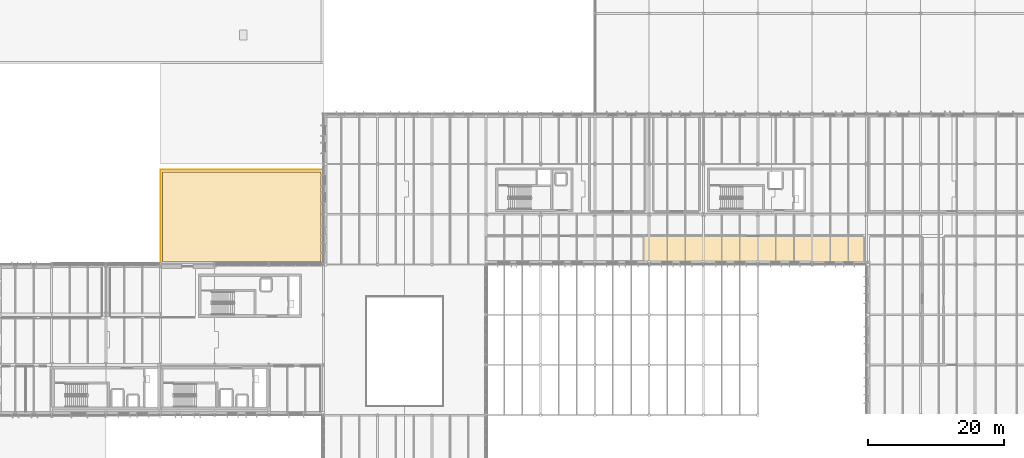
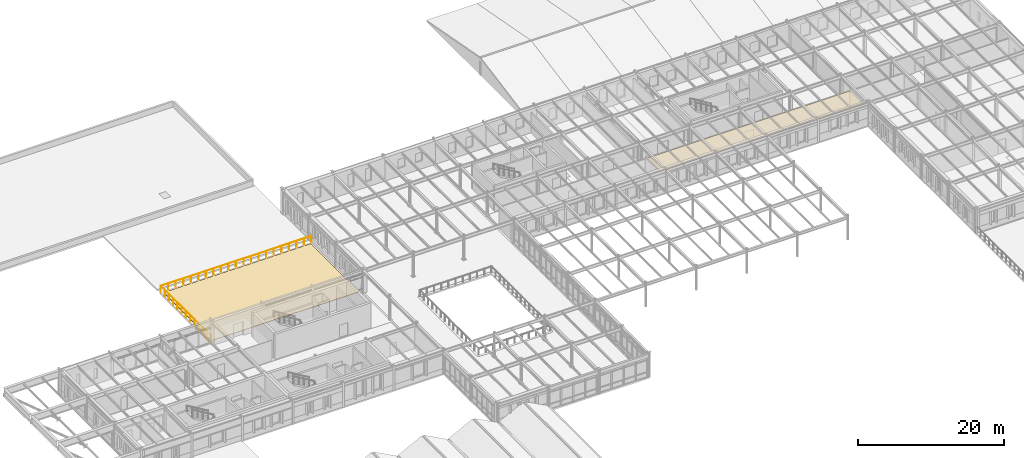
# One storey, part 56 of 63: 2 coverings, 2 railings.
"""IFC4 building model written with IfcOpenShell, lengths in metres."""

from ifc_helpers import new_model, si_unit, direction, frame, origin, origin_2d, place, context, subcontext, project, spatial, polyline, circle, outline, extrude, material, layer, layer_set, type_object, element, save


model = new_model("IFC4")

# Units and contexts
model_context = context("Model", 3, precision=1e-05, world=origin(), true_north=direction((0.0, 1.0)))
body_context = subcontext(model_context, "Body", "Model", "MODEL_VIEW")
ifc_project = project(units=[si_unit("LENGTHUNIT", "METRE"), si_unit("AREAUNIT", "SQUARE_METRE"), si_unit("VOLUMEUNIT", "CUBIC_METRE"), si_unit("PLANEANGLEUNIT", "RADIAN"), si_unit("MASSUNIT", "GRAM", prefix="KILO")], contexts=[model_context])

# Site, building, storey
site_placement = place(None, origin())
site = spatial("IfcSite", under=ifc_project, at=site_placement, CompositionType="ELEMENT")
building_placement = place(site_placement, origin())
building = spatial("IfcBuilding", under=site, at=building_placement, Name="Valkorina Park Police Headquarters", CompositionType="ELEMENT")
storey_placement = place(building_placement, frame((0.0, 0.0, 9.89990234375)))
storey = spatial("IfcBuildingStorey", under=building, at=storey_placement, Name="L03", CompositionType="ELEMENT", Elevation=9.89990234375)

# Coverings
ifc_material_1 = material(Name="Acoustic mineral board")
ifc_layer_1 = layer(ifc_material_1, 0.02490234375)
ifc_layer_set_1 = layer_set([ifc_layer_1], Name="Acoustic mineral board")
covering_type_1 = type_object("IfcCoveringType", Name="COV-CEILING-ACOUST", PredefinedType="CEILING", material=ifc_layer_set_1)
covering_1_placement = place(storey_placement, frame((0.0, 0.0, 3.440185546875)))
element("IfcCovering", 1, at=covering_1_placement, inside=storey, type_object=covering_type_1, Name="Primary 112 Server Hall A Acoustic Suspended Ceiling", PredefinedType="CEILING", context=body_context, shape_type="SweptSolid", body=[
    extrude(outline(polyline([(136.3583984375, 59.704345703125), (136.359619140625, 59.712158203125), (136.360107421875, 59.719970703125), (136.360107421875, 63.280029296875), (136.359619140625, 63.287841796875), (136.3583984375, 63.295654296875), (136.356689453125, 63.30322265625), (136.35400390625, 63.310546875), (136.3505859375, 63.317626953125), (136.346435546875, 63.324462890625), (136.341796875, 63.330810546875), (136.336669921875, 63.336669921875), (136.330810546875, 63.341796875), (136.324462890625, 63.346435546875), (136.317626953125, 63.3505859375), (136.310546875, 63.35400390625), (136.30322265625, 63.356689453125), (136.295654296875, 63.3583984375), (136.287841796875, 63.359619140625), (136.280029296875, 63.360107421875), (104.1201171875, 63.360107421875), (104.1123046875, 63.359619140625), (104.1044921875, 63.3583984375), (104.0966796875, 63.356689453125), (104.08935546875, 63.35400390625), (104.082275390625, 63.3505859375), (104.07568359375, 63.346435546875), (104.069091796875, 63.341796875), (104.0634765625, 63.336669921875), (104.05810546875, 63.330810546875), (104.053466796875, 63.324462890625), (104.04931640625, 63.317626953125), (104.046142578125, 63.310546875), (104.04345703125, 63.30322265625), (104.04150390625, 63.295654296875), (104.040283203125, 63.287841796875), (104.0400390625, 63.280029296875), (104.0400390625, 59.719970703125), (104.040283203125, 59.712158203125), (104.04150390625, 59.704345703125), (104.04345703125, 59.69677734375), (104.046142578125, 59.689453125), (104.04931640625, 59.682373046875), (104.053466796875, 59.675537109375), (104.05810546875, 59.669189453125), (104.0634765625, 59.663330078125), (104.069091796875, 59.658203125), (104.07568359375, 59.653564453125), (104.082275390625, 59.6494140625), (104.08935546875, 59.64599609375), (104.0966796875, 59.643310546875), (104.1044921875, 59.6416015625), (104.1123046875, 59.640380859375), (104.1201171875, 59.639892578125), (136.280029296875, 59.639892578125), (136.287841796875, 59.640380859375), (136.295654296875, 59.6416015625), (136.30322265625, 59.643310546875), (136.310546875, 59.64599609375), (136.317626953125, 59.6494140625), (136.324462890625, 59.653564453125), (136.330810546875, 59.658203125), (136.336669921875, 59.663330078125), (136.341796875, 59.669189453125), (136.346435546875, 59.675537109375), (136.3505859375, 59.682373046875), (136.35400390625, 59.689453125), (136.356689453125, 59.69677734375), (136.3583984375, 59.704345703125)])), origin(), (0.0, 0.0, 1.0), 0.02490234375),
])
ifc_material_2 = material(Name="Planted green roof substrate")
ifc_layer_2 = layer(ifc_material_2, 0.080078125)
ifc_layer_set_2 = layer_set([ifc_layer_2], Name="Planted green roof substrate")
covering_type_2 = type_object("IfcCoveringType", Name="COV-ROOF-GREEN", PredefinedType="ROOFING", material=ifc_layer_set_2)
covering_2_placement = place(storey_placement, origin())
element("IfcCovering", 2, at=covering_2_placement, inside=storey, type_object=covering_type_2, Name="L03 Staff Planted Podium Terrace Planted Substrate", PredefinedType="ROOFING", context=body_context, shape_type="SweptSolid", body=[
    extrude(outline(polyline([(33.14990234375, 59.592041015625), (56.449951171875, 59.592041015625), (56.449951171875, 72.85009765625), (33.14990234375, 72.85009765625), (33.14990234375, 59.592041015625)])), origin(), (0.0, 0.0, 1.0), 0.080078125),
])

# Railings
ifc_material_3 = material(Name="Stainless steel EN 1.4404", Category="steel")
railing_type = type_object("IfcRailingType", Name="RL-GUARD-EXT-1100", PredefinedType="BALUSTRADE", material=ifc_material_3)
railing_1_placement = place(storey_placement, frame((56.739990234375, 73.139892578125, 0.0)))
element("IfcRailing", 3, at=railing_1_placement, inside=storey, type_object=railing_type, Name="TERR-L03-CUST Perimeter Balustrade Guard 1", PredefinedType="BALUSTRADE", context=body_context, shape_type="SweptSolid", body=[
    extrude(circle(Radius=0.02392578125, at=origin_2d()), frame((0.0, 0.0, 1.09619140625), z_axis=(-1.0, 0.0, 0.0), x_axis=(0.0, -1.0, 0.0)), (0.0, 0.0, 1.0), 23.8798828125),
    extrude(circle(Radius=0.02099609375, at=origin_2d()), origin(), (0.0, 0.0, 1.0), 1.072021484375),
    extrude(circle(Radius=0.02099609375, at=origin_2d()), frame((-1.194091796875, 0.0, 0.0)), (0.0, 0.0, 1.0), 1.072021484375),
    extrude(circle(Radius=0.02099609375, at=origin_2d()), frame((-2.387939453125, 0.0, 0.0)), (0.0, 0.0, 1.0), 1.072021484375),
    extrude(circle(Radius=0.02099609375, at=origin_2d()), frame((-3.58203125, 0.0, 0.0)), (0.0, 0.0, 1.0), 1.072021484375),
    extrude(circle(Radius=0.02099609375, at=origin_2d()), frame((-4.77587890625, 0.0, 0.0)), (0.0, 0.0, 1.0), 1.072021484375),
    extrude(circle(Radius=0.02099609375, at=origin_2d()), frame((-5.969970703125, 0.0, 0.0)), (0.0, 0.0, 1.0), 1.072021484375),
    extrude(circle(Radius=0.02099609375, at=origin_2d()), frame((-7.1640625, 0.0, 0.0)), (0.0, 0.0, 1.0), 1.072021484375),
    extrude(circle(Radius=0.02099609375, at=origin_2d()), frame((-8.35791015625, 0.0, 0.0)), (0.0, 0.0, 1.0), 1.072021484375),
    extrude(circle(Radius=0.02099609375, at=origin_2d()), frame((-9.552001953125, 0.0, 0.0)), (0.0, 0.0, 1.0), 1.072021484375),
    extrude(circle(Radius=0.02099609375, at=origin_2d()), frame((-10.745849609375, 0.0, 0.0)), (0.0, 0.0, 1.0), 1.072021484375),
    extrude(circle(Radius=0.02099609375, at=origin_2d()), frame((-11.93994140625, 0.0, 0.0)), (0.0, 0.0, 1.0), 1.072021484375),
    extrude(circle(Radius=0.02099609375, at=origin_2d()), frame((-13.134033203125, 0.0, 0.0)), (0.0, 0.0, 1.0), 1.072021484375),
    extrude(circle(Radius=0.02099609375, at=origin_2d()), frame((-14.327880859375, 0.0, 0.0)), (0.0, 0.0, 1.0), 1.072021484375),
    extrude(circle(Radius=0.02099609375, at=origin_2d()), frame((-15.52197265625, 0.0, 0.0)), (0.0, 0.0, 1.0), 1.072021484375),
    extrude(circle(Radius=0.02099609375, at=origin_2d()), frame((-16.7158203125, 0.0, 0.0)), (0.0, 0.0, 1.0), 1.072021484375),
    extrude(circle(Radius=0.02099609375, at=origin_2d()), frame((-17.909912109375, 0.0, 0.0)), (0.0, 0.0, 1.0), 1.072021484375),
    extrude(circle(Radius=0.02099609375, at=origin_2d()), frame((-19.10400390625, 0.0, 0.0)), (0.0, 0.0, 1.0), 1.072021484375),
    extrude(circle(Radius=0.02099609375, at=origin_2d()), frame((-20.2978515625, 0.0, 0.0)), (0.0, 0.0, 1.0), 1.072021484375),
    extrude(circle(Radius=0.02099609375, at=origin_2d()), frame((-21.491943359375, 0.0, 0.0)), (0.0, 0.0, 1.0), 1.072021484375),
    extrude(circle(Radius=0.02099609375, at=origin_2d()), frame((-22.685791015625, 0.0, 0.0)), (0.0, 0.0, 1.0), 1.072021484375),
    extrude(circle(Radius=0.02099609375, at=origin_2d()), frame((-23.8798828125, 0.0, 0.0)), (0.0, 0.0, 1.0), 1.072021484375),
])
railing_2_placement = place(storey_placement, frame((32.860107421875, 73.139892578125, 0.0)))
element("IfcRailing", 4, at=railing_2_placement, inside=storey, type_object=railing_type, Name="TERR-L03-CUST Perimeter Balustrade Guard 2", PredefinedType="BALUSTRADE", context=body_context, shape_type="SweptSolid", body=[
    extrude(circle(Radius=0.02392578125, at=origin_2d()), frame((0.0, 0.0, 1.09619140625), z_axis=(0.0, -1.0, 0.0), x_axis=(1.0, 0.0, 0.0)), (0.0, 0.0, 1.0), 13.837890625),
    extrude(circle(Radius=0.02099609375, at=origin_2d()), origin(), (0.0, 0.0, 1.0), 1.072021484375),
    extrude(circle(Radius=0.02099609375, at=origin_2d()), frame((0.0, -1.153076171875, 0.0)), (0.0, 0.0, 1.0), 1.072021484375),
    extrude(circle(Radius=0.02099609375, at=origin_2d()), frame((0.0, -2.306396484375, 0.0)), (0.0, 0.0, 1.0), 1.072021484375),
    extrude(circle(Radius=0.02099609375, at=origin_2d()), frame((0.0, -3.45947265625, 0.0)), (0.0, 0.0, 1.0), 1.072021484375),
    extrude(circle(Radius=0.02099609375, at=origin_2d()), frame((0.0, -4.612548828125, 0.0)), (0.0, 0.0, 1.0), 1.072021484375),
    extrude(circle(Radius=0.02099609375, at=origin_2d()), frame((0.0, -5.765869140625, 0.0)), (0.0, 0.0, 1.0), 1.072021484375),
    extrude(circle(Radius=0.02099609375, at=origin_2d()), frame((0.0, -6.9189453125, 0.0)), (0.0, 0.0, 1.0), 1.072021484375),
    extrude(circle(Radius=0.02099609375, at=origin_2d()), frame((0.0, -8.072021484375, 0.0)), (0.0, 0.0, 1.0), 1.072021484375),
    extrude(circle(Radius=0.02099609375, at=origin_2d()), frame((0.0, -9.225341796875, 0.0)), (0.0, 0.0, 1.0), 1.072021484375),
    extrude(circle(Radius=0.02099609375, at=origin_2d()), frame((0.0, -10.37841796875, 0.0)), (0.0, 0.0, 1.0), 1.072021484375),
    extrude(circle(Radius=0.02099609375, at=origin_2d()), frame((0.0, -11.531494140625, 0.0)), (0.0, 0.0, 1.0), 1.072021484375),
    extrude(circle(Radius=0.02099609375, at=origin_2d()), frame((0.0, -12.684814453125, 0.0)), (0.0, 0.0, 1.0), 1.072021484375),
    extrude(circle(Radius=0.02099609375, at=origin_2d()), frame((0.0, -13.837890625, 0.0)), (0.0, 0.0, 1.0), 1.072021484375),
])

save(model, "model.ifc")
